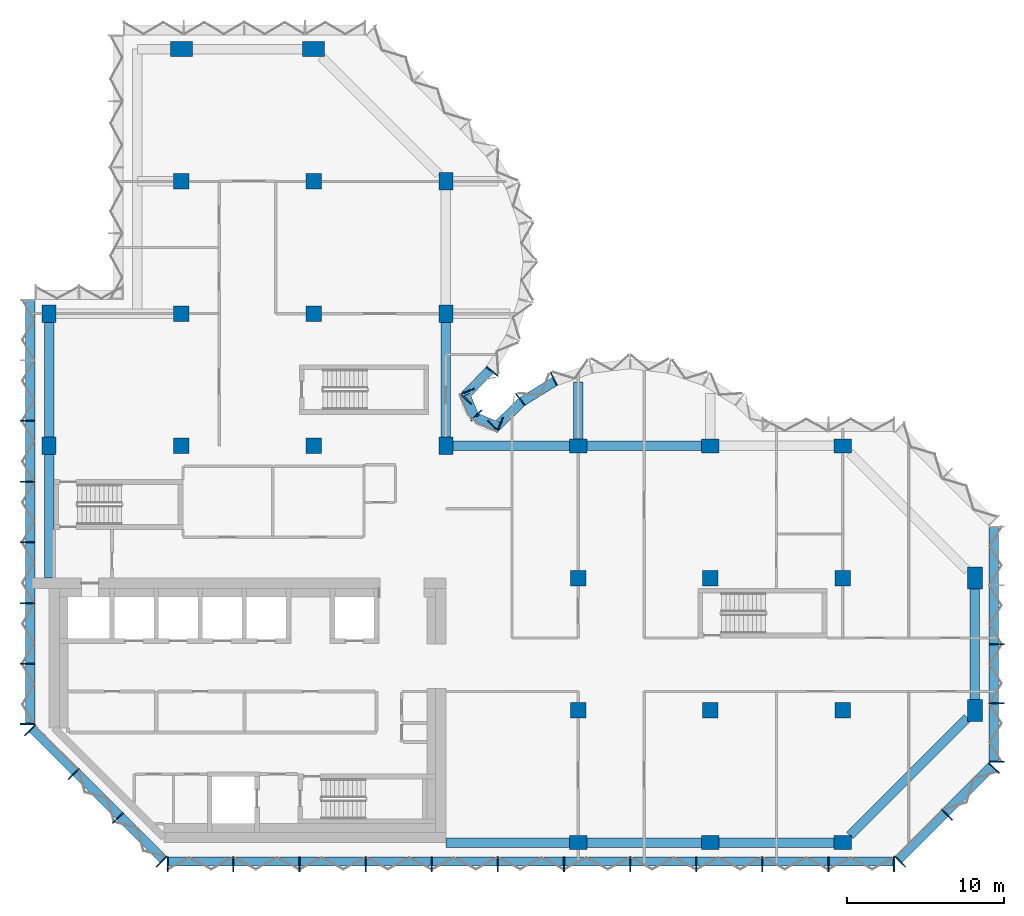
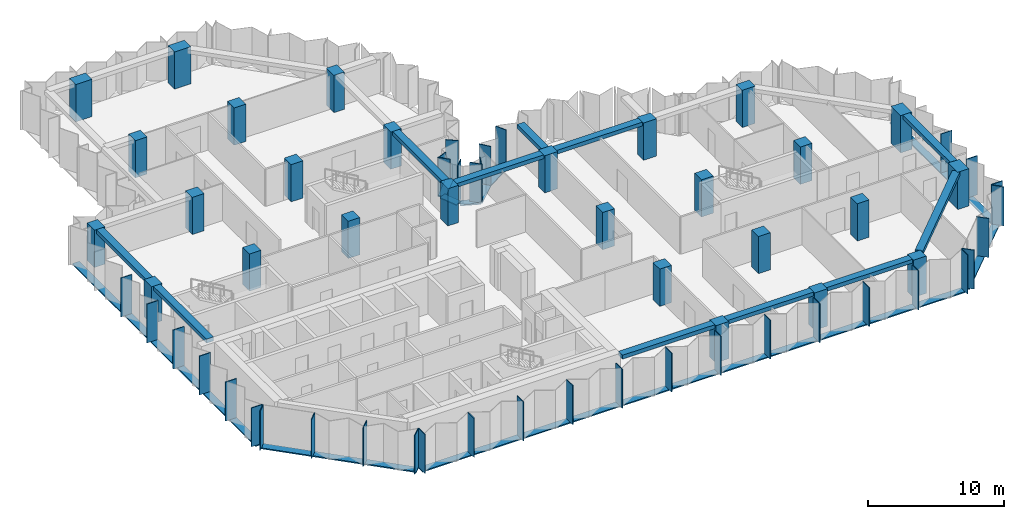
# One storey, part 1 of 10: 46 members, 27 columns, 11 beams, 8 elements without a shape of their own.
"""IFC4 building model written with IfcOpenShell, lengths in metres."""

from ifc_helpers import new_model, si_unit, direction, frame, origin, origin_2d, place, context, subcontext, project, spatial, rectangle, extrude, material, material_profile, profile_set, type_object, element, aggregate, save


model = new_model("IFC4")

# Units and contexts
model_context = context("Model", 3, precision=1e-05, world=origin(), true_north=direction((0.0, 1.0)))
body_context = subcontext(model_context, "Body", "Model", "MODEL_VIEW")
ifc_project = project(units=[si_unit("LENGTHUNIT", "METRE"), si_unit("AREAUNIT", "SQUARE_METRE"), si_unit("VOLUMEUNIT", "CUBIC_METRE"), si_unit("PLANEANGLEUNIT", "RADIAN"), si_unit("MASSUNIT", "GRAM", prefix="KILO")], contexts=[model_context])

# Site, building, storey
site_placement = place(None, origin())
site = spatial("IfcSite", under=ifc_project, at=site_placement, CompositionType="ELEMENT")
building_placement = place(site_placement, origin())
building = spatial("IfcBuilding", under=site, at=building_placement, Name="Brevane Broadcast Tower", CompositionType="ELEMENT")
storey_placement = place(building_placement, frame((0.0, 0.0, 177.60009765625)))
storey = spatial("IfcBuildingStorey", under=building, at=storey_placement, Name="L44", CompositionType="ELEMENT", Elevation=177.60009765625)

# Columns
ifc_material_1 = material(Name="Concrete C60/75", Category="concrete")
ifc_material_profile_1 = material_profile(ifc_material_1, rectangle(XDim=0.89990234375, YDim=1.10009765625, at=origin_2d()), Name="RC 900x1100")
ifc_profile_set_1 = profile_set([ifc_material_profile_1], Name="Concrete C60/75")
column_type_1 = type_object("IfcColumnType", Name="RC COLUMN EDGE 900x1100 C60/75", PredefinedType="COLUMN", material=ifc_profile_set_1)
for number, where, z_axis, x_axis, name in (
    (1, (0.0, 25.199951171875, 0.0), (0.0, 0.0, 1.0), (1.0, 0.0, 0.0), "CE11 1/D"),
    (2, (0.0, 33.60009765625, 0.0), (0.0, 0.0, 1.0), (1.0, 0.0, 0.0), "CE11 1/E"),
    (3, (25.199951171875, 25.199951171875, 0.0), (0.0, 0.0, 1.0), (1.0, 0.0, 0.0), "CE11 4/D"),
    (4, (25.199951171875, 33.60009765625, 0.0), (0.0, 0.0, 1.0), (1.0, 0.0, 0.0), "CE11 4/E"),
    (5, (25.199951171875, 42.0, 0.0), (0.0, 0.0, 1.0), (1.0, 0.0, 0.0), "CE11 4/F"),
    (6, (33.60009765625, 0.0, 0.0), (0.0, 0.0, 1.0), (0.0, 1.0, 0.0), "CE11 5/A"),
    (7, (33.60009765625, 25.199951171875, 0.0), (0.0, 0.0, 1.0), (0.0, 1.0, 0.0), "CE11 5/D"),
    (8, (42.0, 0.0, 0.0), (0.0, 0.0, 1.0), (0.0, 1.0, 0.0), "CE11 6/A"),
    (9, (42.0, 25.199951171875, 0.0), (0.0, 0.0, 1.0), (0.0, 1.0, 0.0), "CE11 6/D"),
    (10, (50.39990234375, 0.0, 0.0), (0.0, 0.0, 1.0), (0.0, 1.0, 0.0), "CE11 7/A"),
    (11, (50.39990234375, 25.199951171875, 0.0), (0.0, 0.0, 1.0), (0.0, 1.0, 0.0), "CE11 7/D"),
):
    element("IfcColumn", number, at=place(storey_placement, frame(where, z_axis=z_axis, x_axis=x_axis)), inside=storey, type_object=column_type_1, Name=name, PredefinedType="COLUMN", context=body_context, shape_type="SweptSolid", body=[
        extrude(rectangle(XDim=0.89990234375, YDim=1.10009765625, at=origin_2d()), origin(), (0.0, 0.0, 1.0), 3.349853515625),
    ])
ifc_material_profile_2 = material_profile(ifc_material_1, rectangle(XDim=1.0, YDim=1.0, at=origin_2d()), Name="RC 1000x1000")
ifc_profile_set_2 = profile_set([ifc_material_profile_2], Name="Concrete C60/75")
column_type_2 = type_object("IfcColumnType", Name="RC COLUMN INTERIOR 1000x1000 C60/75", PredefinedType="COLUMN", material=ifc_profile_set_2)
for number, where, z_axis, x_axis, name in (
    (12, (8.39990234375, 25.199951171875, 0.0), (0.0, 0.0, 1.0), (1.0, 0.0, 0.0), "CI12 2/D"),
    (13, (8.39990234375, 33.60009765625, 0.0), (0.0, 0.0, 1.0), (1.0, 0.0, 0.0), "CI12 2/E"),
    (14, (8.39990234375, 42.0, 0.0), (0.0, 0.0, 1.0), (1.0, 0.0, 0.0), "CI12 2/F"),
    (15, (16.800048828125, 25.199951171875, 0.0), (0.0, 0.0, 1.0), (1.0, 0.0, 0.0), "CI12 3/D"),
    (16, (16.800048828125, 33.60009765625, 0.0), (0.0, 0.0, 1.0), (1.0, 0.0, 0.0), "CI12 3/E"),
    (17, (16.800048828125, 42.0, 0.0), (0.0, 0.0, 1.0), (1.0, 0.0, 0.0), "CI12 3/F"),
    (18, (33.60009765625, 8.39990234375, 0.0), (0.0, 0.0, 1.0), (1.0, 0.0, 0.0), "CI12 5/B"),
    (19, (33.60009765625, 16.800048828125, 0.0), (0.0, 0.0, 1.0), (1.0, 0.0, 0.0), "CI12 5/C"),
    (20, (42.0, 8.39990234375, 0.0), (0.0, 0.0, 1.0), (1.0, 0.0, 0.0), "CI12 6/B"),
    (21, (42.0, 16.800048828125, 0.0), (0.0, 0.0, 1.0), (1.0, 0.0, 0.0), "CI12 6/C"),
    (22, (50.39990234375, 8.39990234375, 0.0), (0.0, 0.0, 1.0), (1.0, 0.0, 0.0), "CI12 7/B"),
    (23, (50.39990234375, 16.800048828125, 0.0), (0.0, 0.0, 1.0), (1.0, 0.0, 0.0), "CI12 7/C"),
):
    element("IfcColumn", number, at=place(storey_placement, frame(where, z_axis=z_axis, x_axis=x_axis)), inside=storey, type_object=column_type_2, Name=name, PredefinedType="COLUMN", context=body_context, shape_type="SweptSolid", body=[
        extrude(rectangle(XDim=1.0, YDim=1.0, at=origin_2d()), origin(), (0.0, 0.0, 1.0), 3.349853515625),
    ])
ifc_material_profile_3 = material_profile(ifc_material_1, rectangle(XDim=0.949951171875, YDim=1.39990234375, at=origin_2d()), Name="RC 950x1400")
ifc_profile_set_3 = profile_set([ifc_material_profile_3], Name="Concrete C60/75")
column_type_3 = type_object("IfcColumnType", Name="RC COLUMN WING-END 950x1400 C60/75", PredefinedType="COLUMN", material=ifc_profile_set_3)
for number, where, z_axis, x_axis, name in (
    (24, (8.39990234375, 50.39990234375, 0.0), (0.0, 0.0, 1.0), (0.0, 1.0, 0.0), "CW13 2/G"),
    (25, (16.800048828125, 50.39990234375, 0.0), (0.0, 0.0, 1.0), (0.0, 1.0, 0.0), "CW13 3/G"),
    (26, (58.800048828125, 8.39990234375, 0.0), (0.0, 0.0, 1.0), (1.0, 0.0, 0.0), "CW13 8/B"),
    (27, (58.800048828125, 16.800048828125, 0.0), (0.0, 0.0, 1.0), (1.0, 0.0, 0.0), "CW13 8/C"),
):
    element("IfcColumn", number, at=place(storey_placement, frame(where, z_axis=z_axis, x_axis=x_axis)), inside=storey, type_object=column_type_3, Name=name, PredefinedType="COLUMN", context=body_context, shape_type="SweptSolid", body=[
        extrude(rectangle(XDim=0.949951171875, YDim=1.39990234375, at=origin_2d()), origin(), (0.0, 0.0, 1.0), 3.349853515625),
    ])

# Curtain wall, members
ifc_material_2 = material(Name="Aluminium 6063-T6 bronze anodised", Category="aluminium")
curtain_wall_type = type_object("IfcCurtainWallType", Name="CW-1 curtain wall", PredefinedType="NOTDEFINED", material=ifc_material_2)
curtain_wall_1_placement = place(storey_placement, origin())
curtain_wall_1 = element("IfcCurtainWall", 28, at=curtain_wall_1_placement, inside=storey, type_object=curtain_wall_type, Name="CW-1 typical tilted unit L44 south face", PredefinedType="NOTDEFINED")
ifc_material_profile_4 = material_profile(ifc_material_2, rectangle(XDim=0.949951171875, YDim=0.070068359375, at=origin_2d()), Name="RECT 70x950")
ifc_profile_set_4 = profile_set([ifc_material_profile_4], Name="Aluminium 6063-T6 bronze anodised")
member_type_1 = type_object("IfcMemberType", Name="CW-1 mullion 70x950", PredefinedType="MULLION", material=ifc_profile_set_4)
member_1_placement = place(storey_placement, frame((7.534912109375, -1.375, -0.150146484375), z_axis=(0.0, 0.0, 1.0), x_axis=(0.0, 1.0, 0.0)))
member_1 = element("IfcMember", 29, at=member_1_placement, type_object=member_type_1, Name="CW-1 mullion", PredefinedType="MULLION", context=body_context, shape_type="SweptSolid", body=[
    extrude(rectangle(XDim=0.949951171875, YDim=0.070068359375, at=origin_2d()), origin(), (0.0, 0.0, 1.0), 3.5),
])
member_2_placement = place(storey_placement, frame((11.699951171875, -1.375, -0.150146484375), z_axis=(0.0, 0.0, 1.0), x_axis=(0.0, 1.0, 0.0)))
member_2 = element("IfcMember", 30, at=member_2_placement, type_object=member_type_1, Name="CW-1 mullion", PredefinedType="MULLION", context=body_context, shape_type="SweptSolid", body=[
    extrude(rectangle(XDim=0.949951171875, YDim=0.070068359375, at=origin_2d()), origin(), (0.0, 0.0, 1.0), 3.5),
])
member_3_placement = place(storey_placement, frame((15.89990234375, -1.375, -0.150146484375), z_axis=(0.0, 0.0, 1.0), x_axis=(0.0, 1.0, 0.0)))
member_3 = element("IfcMember", 31, at=member_3_placement, type_object=member_type_1, Name="CW-1 mullion", PredefinedType="MULLION", context=body_context, shape_type="SweptSolid", body=[
    extrude(rectangle(XDim=0.949951171875, YDim=0.070068359375, at=origin_2d()), origin(), (0.0, 0.0, 1.0), 3.5),
])
member_4_placement = place(storey_placement, frame((20.10009765625, -1.375, -0.150146484375), z_axis=(0.0, 0.0, 1.0), x_axis=(0.0, 1.0, 0.0)))
member_4 = element("IfcMember", 32, at=member_4_placement, type_object=member_type_1, Name="CW-1 mullion", PredefinedType="MULLION", context=body_context, shape_type="SweptSolid", body=[
    extrude(rectangle(XDim=0.949951171875, YDim=0.070068359375, at=origin_2d()), origin(), (0.0, 0.0, 1.0), 3.5),
])
member_5_placement = place(storey_placement, frame((24.300048828125, -1.375, -0.150146484375), z_axis=(0.0, 0.0, 1.0), x_axis=(0.0, 1.0, 0.0)))
member_5 = element("IfcMember", 33, at=member_5_placement, type_object=member_type_1, Name="CW-1 mullion", PredefinedType="MULLION", context=body_context, shape_type="SweptSolid", body=[
    extrude(rectangle(XDim=0.949951171875, YDim=0.070068359375, at=origin_2d()), origin(), (0.0, 0.0, 1.0), 3.5),
])
member_6_placement = place(storey_placement, frame((28.5, -1.375, -0.150146484375), z_axis=(0.0, 0.0, 1.0), x_axis=(0.0, 1.0, 0.0)))
member_6 = element("IfcMember", 34, at=member_6_placement, type_object=member_type_1, Name="CW-1 mullion", PredefinedType="MULLION", context=body_context, shape_type="SweptSolid", body=[
    extrude(rectangle(XDim=0.949951171875, YDim=0.070068359375, at=origin_2d()), origin(), (0.0, 0.0, 1.0), 3.5),
])
member_7_placement = place(storey_placement, frame((32.699951171875, -1.375, -0.150146484375), z_axis=(0.0, 0.0, 1.0), x_axis=(0.0, 1.0, 0.0)))
member_7 = element("IfcMember", 35, at=member_7_placement, type_object=member_type_1, Name="CW-1 mullion", PredefinedType="MULLION", context=body_context, shape_type="SweptSolid", body=[
    extrude(rectangle(XDim=0.949951171875, YDim=0.070068359375, at=origin_2d()), origin(), (0.0, 0.0, 1.0), 3.5),
])
member_8_placement = place(storey_placement, frame((36.89990234375, -1.375, -0.150146484375), z_axis=(0.0, 0.0, 1.0), x_axis=(0.0, 1.0, 0.0)))
member_8 = element("IfcMember", 36, at=member_8_placement, type_object=member_type_1, Name="CW-1 mullion", PredefinedType="MULLION", context=body_context, shape_type="SweptSolid", body=[
    extrude(rectangle(XDim=0.949951171875, YDim=0.070068359375, at=origin_2d()), origin(), (0.0, 0.0, 1.0), 3.5),
])
member_9_placement = place(storey_placement, frame((41.10009765625, -1.375, -0.150146484375), z_axis=(0.0, 0.0, 1.0), x_axis=(0.0, 1.0, 0.0)))
member_9 = element("IfcMember", 37, at=member_9_placement, type_object=member_type_1, Name="CW-1 mullion", PredefinedType="MULLION", context=body_context, shape_type="SweptSolid", body=[
    extrude(rectangle(XDim=0.949951171875, YDim=0.070068359375, at=origin_2d()), origin(), (0.0, 0.0, 1.0), 3.5),
])
member_10_placement = place(storey_placement, frame((45.300048828125, -1.375, -0.150146484375), z_axis=(0.0, 0.0, 1.0), x_axis=(0.0, 1.0, 0.0)))
member_10 = element("IfcMember", 38, at=member_10_placement, type_object=member_type_1, Name="CW-1 mullion", PredefinedType="MULLION", context=body_context, shape_type="SweptSolid", body=[
    extrude(rectangle(XDim=0.949951171875, YDim=0.070068359375, at=origin_2d()), origin(), (0.0, 0.0, 1.0), 3.5),
])
member_11_placement = place(storey_placement, frame((49.5, -1.375, -0.150146484375), z_axis=(0.0, 0.0, 1.0), x_axis=(0.0, 1.0, 0.0)))
member_11 = element("IfcMember", 39, at=member_11_placement, type_object=member_type_1, Name="CW-1 mullion", PredefinedType="MULLION", context=body_context, shape_type="SweptSolid", body=[
    extrude(rectangle(XDim=0.949951171875, YDim=0.070068359375, at=origin_2d()), origin(), (0.0, 0.0, 1.0), 3.5),
])
member_12_placement = place(storey_placement, frame((53.6650390625, -1.375, -0.150146484375), z_axis=(0.0, 0.0, 1.0), x_axis=(0.0, 1.0, 0.0)))
member_12 = element("IfcMember", 40, at=member_12_placement, type_object=member_type_1, Name="CW-1 mullion", PredefinedType="MULLION", context=body_context, shape_type="SweptSolid", body=[
    extrude(rectangle(XDim=0.949951171875, YDim=0.070068359375, at=origin_2d()), origin(), (0.0, 0.0, 1.0), 3.5),
])

curtain_wall_2_placement = place(storey_placement, origin())
curtain_wall_2 = element("IfcCurtainWall", 41, at=curtain_wall_2_placement, inside=storey, type_object=curtain_wall_type, Name="CW-1 typical tilted unit L44 south-east chamfer", PredefinedType="NOTDEFINED")
member_13_placement = place(storey_placement, frame((54.060546875, -1.211181640625, -0.150146484375), z_axis=(0.0, 0.0, 1.0), x_axis=(-0.707106781187, 0.707106781187, 0.0)))
member_13 = element("IfcMember", 42, at=member_13_placement, type_object=member_type_1, Name="CW-1 mullion", PredefinedType="MULLION", context=body_context, shape_type="SweptSolid", body=[
    extrude(rectangle(XDim=0.949951171875, YDim=0.070068359375, at=origin_2d()), origin(), (0.0, 0.0, 1.0), 3.5),
])
member_14_placement = place(storey_placement, frame((57.035888671875, 1.76416015625, -0.150146484375), z_axis=(0.0, 0.0, 1.0), x_axis=(-0.707106781187, 0.707106781187, 0.0)))
member_14 = element("IfcMember", 43, at=member_14_placement, type_object=member_type_1, Name="CW-1 mullion", PredefinedType="MULLION", context=body_context, shape_type="SweptSolid", body=[
    extrude(rectangle(XDim=0.949951171875, YDim=0.070068359375, at=origin_2d()), origin(), (0.0, 0.0, 1.0), 3.5),
])
member_15_placement = place(storey_placement, frame((60.01123046875, 4.7392578125, -0.150146484375), z_axis=(0.0, 0.0, 1.0), x_axis=(-0.707106781187, 0.707106781187, 0.0)))
member_15 = element("IfcMember", 44, at=member_15_placement, type_object=member_type_1, Name="CW-1 mullion", PredefinedType="MULLION", context=body_context, shape_type="SweptSolid", body=[
    extrude(rectangle(XDim=0.949951171875, YDim=0.070068359375, at=origin_2d()), origin(), (0.0, 0.0, 1.0), 3.5),
])

curtain_wall_3_placement = place(storey_placement, origin())
curtain_wall_3 = element("IfcCurtainWall", 45, at=curtain_wall_3_placement, inside=storey, type_object=curtain_wall_type, Name="CW-1 typical tilted unit L44 east end", PredefinedType="NOTDEFINED")
member_16_placement = place(storey_placement, frame((60.175048828125, 5.135009765625, -0.150146484375), z_axis=(0.0, 0.0, 1.0), x_axis=(-1.0, 0.0, 0.0)))
member_16 = element("IfcMember", 46, at=member_16_placement, type_object=member_type_1, Name="CW-1 mullion", PredefinedType="MULLION", context=body_context, shape_type="SweptSolid", body=[
    extrude(rectangle(XDim=0.949951171875, YDim=0.070068359375, at=origin_2d()), origin(), (0.0, 0.0, 1.0), 3.5),
])
member_17_placement = place(storey_placement, frame((60.175048828125, 8.85009765625, -0.150146484375), z_axis=(0.0, 0.0, 1.0), x_axis=(-1.0, 0.0, 0.0)))
member_17 = element("IfcMember", 47, at=member_17_placement, type_object=member_type_1, Name="CW-1 mullion", PredefinedType="MULLION", context=body_context, shape_type="SweptSolid", body=[
    extrude(rectangle(XDim=0.949951171875, YDim=0.070068359375, at=origin_2d()), origin(), (0.0, 0.0, 1.0), 3.5),
])
member_18_placement = place(storey_placement, frame((60.175048828125, 12.60009765625, -0.150146484375), z_axis=(0.0, 0.0, 1.0), x_axis=(-1.0, 0.0, 0.0)))
member_18 = element("IfcMember", 48, at=member_18_placement, type_object=member_type_1, Name="CW-1 mullion", PredefinedType="MULLION", context=body_context, shape_type="SweptSolid", body=[
    extrude(rectangle(XDim=0.949951171875, YDim=0.070068359375, at=origin_2d()), origin(), (0.0, 0.0, 1.0), 3.5),
])

curtain_wall_4_placement = place(storey_placement, origin())
curtain_wall_4 = element("IfcCurtainWall", 49, at=curtain_wall_4_placement, inside=storey, type_object=curtain_wall_type, Name="CW-1 typical tilted unit L44 east bow", PredefinedType="NOTDEFINED")
member_19_placement = place(storey_placement, frame((32.05322265625, 29.4580078125, -0.150146484375), z_axis=(0.0, 0.0, 1.0), x_axis=(0.429933580394, -0.902860518823, 0.0)))
member_19 = element("IfcMember", 50, at=member_19_placement, type_object=member_type_1, Name="CW-1 mullion", PredefinedType="MULLION", context=body_context, shape_type="SweptSolid", body=[
    extrude(rectangle(XDim=0.949951171875, YDim=0.070068359375, at=origin_2d()), origin(), (0.0, 0.0, 1.0), 3.5),
])
member_20_placement = place(storey_placement, frame((29.927978515625, 28.1455078125, -0.150146484375), z_axis=(0.0, 0.0, 1.0), x_axis=(0.614769698862, -0.788706673841, 0.0)))
member_20 = element("IfcMember", 51, at=member_20_placement, type_object=member_type_1, Name="CW-1 mullion", PredefinedType="MULLION", context=body_context, shape_type="SweptSolid", body=[
    extrude(rectangle(XDim=0.949951171875, YDim=0.070068359375, at=origin_2d()), origin(), (0.0, 0.0, 1.0), 3.5),
])
member_21_placement = place(storey_placement, frame((28.194091796875, 26.465087890625, -0.150146484375), z_axis=(0.0, 0.0, 1.0), x_axis=(0.696812089895, -0.717253728729, 0.0)))
member_21 = element("IfcMember", 52, at=member_21_placement, type_object=member_type_1, Name="CW-1 mullion", PredefinedType="MULLION", context=body_context, shape_type="SweptSolid", body=[
    extrude(rectangle(XDim=0.949951171875, YDim=0.070068359375, at=origin_2d()), origin(), (0.0, 0.0, 1.0), 3.5),
])

curtain_wall_5_placement = place(storey_placement, origin())
curtain_wall_5 = element("IfcCurtainWall", 53, at=curtain_wall_5_placement, inside=storey, type_object=curtain_wall_type, Name="CW-1 typical tilted unit L44 inner corner", PredefinedType="NOTDEFINED")
member_22_placement = place(storey_placement, frame((28.6494140625, 26.55224609375, -0.150146484375), z_axis=(0.0, 0.0, 1.0), x_axis=(-0.382683432365, -0.923879532511, 0.0)))
member_22 = element("IfcMember", 54, at=member_22_placement, type_object=member_type_1, Name="CW-1 mullion", PredefinedType="MULLION", context=body_context, shape_type="SweptSolid", body=[
    extrude(rectangle(XDim=0.949951171875, YDim=0.070068359375, at=origin_2d()), origin(), (0.0, 0.0, 1.0), 3.5),
])
member_23_placement = place(storey_placement, frame((27.138916015625, 27.138916015625, -0.150146484375), z_axis=(0.0, 0.0, 1.0), x_axis=(-0.707106781187, -0.707106781187, 0.0)))
member_23 = element("IfcMember", 55, at=member_23_placement, type_object=member_type_1, Name="CW-1 mullion", PredefinedType="MULLION", context=body_context, shape_type="SweptSolid", body=[
    extrude(rectangle(XDim=0.949951171875, YDim=0.070068359375, at=origin_2d()), origin(), (0.0, 0.0, 1.0), 3.5),
])
member_24_placement = place(storey_placement, frame((26.55224609375, 28.6494140625, -0.150146484375), z_axis=(0.0, 0.0, 1.0), x_axis=(-0.923879532511, -0.382683432365, 0.0)))
member_24 = element("IfcMember", 56, at=member_24_placement, type_object=member_type_1, Name="CW-1 mullion", PredefinedType="MULLION", context=body_context, shape_type="SweptSolid", body=[
    extrude(rectangle(XDim=0.949951171875, YDim=0.070068359375, at=origin_2d()), origin(), (0.0, 0.0, 1.0), 3.5),
])

curtain_wall_6_placement = place(storey_placement, origin())
curtain_wall_6 = element("IfcCurtainWall", 57, at=curtain_wall_6_placement, inside=storey, type_object=curtain_wall_type, Name="CW-1 typical tilted unit L44 north bow", PredefinedType="NOTDEFINED")
member_25_placement = place(storey_placement, frame((26.465087890625, 28.194091796875, -0.150146484375), z_axis=(0.0, 0.0, 1.0), x_axis=(-0.717253728729, 0.696812089895, 0.0)))
member_25 = element("IfcMember", 58, at=member_25_placement, type_object=member_type_1, Name="CW-1 mullion", PredefinedType="MULLION", context=body_context, shape_type="SweptSolid", body=[
    extrude(rectangle(XDim=0.949951171875, YDim=0.070068359375, at=origin_2d()), origin(), (0.0, 0.0, 1.0), 3.5),
])
member_26_placement = place(storey_placement, frame((28.1455078125, 29.927978515625, -0.150146484375), z_axis=(0.0, 0.0, 1.0), x_axis=(-0.788706673841, 0.614769698862, 0.0)))
member_26 = element("IfcMember", 59, at=member_26_placement, type_object=member_type_1, Name="CW-1 mullion", PredefinedType="MULLION", context=body_context, shape_type="SweptSolid", body=[
    extrude(rectangle(XDim=0.949951171875, YDim=0.070068359375, at=origin_2d()), origin(), (0.0, 0.0, 1.0), 3.5),
])

curtain_wall_7_placement = place(storey_placement, origin())
curtain_wall_7 = element("IfcCurtainWall", 60, at=curtain_wall_7_placement, inside=storey, type_object=curtain_wall_type, Name="CW-1 typical tilted unit L44 west face", PredefinedType="NOTDEFINED")
member_27_placement = place(storey_placement, frame((-1.375, 26.78564453125, -0.150146484375), z_axis=(0.0, 0.0, 1.0), x_axis=(1.0, 0.0, 0.0)))
member_27 = element("IfcMember", 61, at=member_27_placement, type_object=member_type_1, Name="CW-1 mullion", PredefinedType="MULLION", context=body_context, shape_type="SweptSolid", body=[
    extrude(rectangle(XDim=0.949951171875, YDim=0.070068359375, at=origin_2d()), origin(), (0.0, 0.0, 1.0), 3.5),
])
member_28_placement = place(storey_placement, frame((-1.375, 22.928466796875, -0.150146484375), z_axis=(0.0, 0.0, 1.0), x_axis=(1.0, 0.0, 0.0)))
member_28 = element("IfcMember", 62, at=member_28_placement, type_object=member_type_1, Name="CW-1 mullion", PredefinedType="MULLION", context=body_context, shape_type="SweptSolid", body=[
    extrude(rectangle(XDim=0.949951171875, YDim=0.070068359375, at=origin_2d()), origin(), (0.0, 0.0, 1.0), 3.5),
])
member_29_placement = place(storey_placement, frame((-1.375, 19.071533203125, -0.150146484375), z_axis=(0.0, 0.0, 1.0), x_axis=(1.0, 0.0, 0.0)))
member_29 = element("IfcMember", 63, at=member_29_placement, type_object=member_type_1, Name="CW-1 mullion", PredefinedType="MULLION", context=body_context, shape_type="SweptSolid", body=[
    extrude(rectangle(XDim=0.949951171875, YDim=0.070068359375, at=origin_2d()), origin(), (0.0, 0.0, 1.0), 3.5),
])
member_30_placement = place(storey_placement, frame((-1.375, 15.21435546875, -0.150146484375), z_axis=(0.0, 0.0, 1.0), x_axis=(1.0, 0.0, 0.0)))
member_30 = element("IfcMember", 64, at=member_30_placement, type_object=member_type_1, Name="CW-1 mullion", PredefinedType="MULLION", context=body_context, shape_type="SweptSolid", body=[
    extrude(rectangle(XDim=0.949951171875, YDim=0.070068359375, at=origin_2d()), origin(), (0.0, 0.0, 1.0), 3.5),
])
member_31_placement = place(storey_placement, frame((-1.375, 11.357177734375, -0.150146484375), z_axis=(0.0, 0.0, 1.0), x_axis=(1.0, 0.0, 0.0)))
member_31 = element("IfcMember", 65, at=member_31_placement, type_object=member_type_1, Name="CW-1 mullion", PredefinedType="MULLION", context=body_context, shape_type="SweptSolid", body=[
    extrude(rectangle(XDim=0.949951171875, YDim=0.070068359375, at=origin_2d()), origin(), (0.0, 0.0, 1.0), 3.5),
])
member_32_placement = place(storey_placement, frame((-1.375, 7.534912109375, -0.150146484375), z_axis=(0.0, 0.0, 1.0), x_axis=(1.0, 0.0, 0.0)))
member_32 = element("IfcMember", 66, at=member_32_placement, type_object=member_type_1, Name="CW-1 mullion", PredefinedType="MULLION", context=body_context, shape_type="SweptSolid", body=[
    extrude(rectangle(XDim=0.949951171875, YDim=0.070068359375, at=origin_2d()), origin(), (0.0, 0.0, 1.0), 3.5),
])

curtain_wall_8_placement = place(storey_placement, origin())
curtain_wall_8 = element("IfcCurtainWall", 67, at=curtain_wall_8_placement, inside=storey, type_object=curtain_wall_type, Name="CW-1 typical tilted unit L44 south-west chamfer", PredefinedType="NOTDEFINED")
member_33_placement = place(storey_placement, frame((-1.211181640625, 7.139404296875, -0.150146484375), z_axis=(0.0, 0.0, 1.0), x_axis=(0.707106781187, 0.707106781187, 0.0)))
member_33 = element("IfcMember", 68, at=member_33_placement, type_object=member_type_1, Name="CW-1 mullion", PredefinedType="MULLION", context=body_context, shape_type="SweptSolid", body=[
    extrude(rectangle(XDim=0.949951171875, YDim=0.070068359375, at=origin_2d()), origin(), (0.0, 0.0, 1.0), 3.5),
])
member_34_placement = place(storey_placement, frame((1.564208984375, 4.364013671875, -0.150146484375), z_axis=(0.0, 0.0, 1.0), x_axis=(0.707106781187, 0.707106781187, 0.0)))
member_34 = element("IfcMember", 69, at=member_34_placement, type_object=member_type_1, Name="CW-1 mullion", PredefinedType="MULLION", context=body_context, shape_type="SweptSolid", body=[
    extrude(rectangle(XDim=0.949951171875, YDim=0.070068359375, at=origin_2d()), origin(), (0.0, 0.0, 1.0), 3.5),
])
member_35_placement = place(storey_placement, frame((4.364013671875, 1.564208984375, -0.150146484375), z_axis=(0.0, 0.0, 1.0), x_axis=(0.707106781187, 0.707106781187, 0.0)))
member_35 = element("IfcMember", 70, at=member_35_placement, type_object=member_type_1, Name="CW-1 mullion", PredefinedType="MULLION", context=body_context, shape_type="SweptSolid", body=[
    extrude(rectangle(XDim=0.949951171875, YDim=0.070068359375, at=origin_2d()), origin(), (0.0, 0.0, 1.0), 3.5),
])
member_36_placement = place(storey_placement, frame((7.139404296875, -1.211181640625, -0.150146484375), z_axis=(0.0, 0.0, 1.0), x_axis=(0.707106781187, 0.707106781187, 0.0)))
member_36 = element("IfcMember", 71, at=member_36_placement, type_object=member_type_1, Name="CW-1 mullion", PredefinedType="MULLION", context=body_context, shape_type="SweptSolid", body=[
    extrude(rectangle(XDim=0.949951171875, YDim=0.070068359375, at=origin_2d()), origin(), (0.0, 0.0, 1.0), 3.5),
])

# Member
ifc_material_profile_5 = material_profile(ifc_material_2, rectangle(XDim=0.60009765625, YDim=0.10009765625, at=origin_2d()), Name="RECT 100x600")
ifc_profile_set_5 = profile_set([ifc_material_profile_5], Name="Aluminium 6063-T6 bronze anodised")
member_type_2 = type_object("IfcMemberType", Name="CW-1 transom 100x600", PredefinedType="USERDEFINED", material=ifc_profile_set_5)
member_37_placement = place(storey_placement, frame((7.5, -1.199951171875, -0.2001953125), z_axis=(1.0, 0.0, 0.0), x_axis=(0.0, 1.0, 0.0)))
member_37 = element("IfcMember", 72, at=member_37_placement, type_object=member_type_2, Name="CW-1 transom", ObjectType="TRANSOM", PredefinedType="USERDEFINED", context=body_context, shape_type="SweptSolid", body=[
    extrude(rectangle(XDim=0.60009765625, YDim=0.10009765625, at=origin_2d()), origin(), (0.0, 0.0, 1.0), 46.199951171875),
])

aggregate(curtain_wall_1, [member_1, member_2, member_3, member_4, member_5, member_6, member_7, member_8, member_9, member_10, member_11, member_12, member_37])

member_38_placement = place(storey_placement, frame((53.912109375, -1.112060546875, -0.2001953125), z_axis=(0.707106781187, 0.707106781187, 0.0), x_axis=(-0.707106781187, 0.707106781187, 0.0)))
member_38 = element("IfcMember", 73, at=member_38_placement, type_object=member_type_2, Name="CW-1 transom", ObjectType="TRANSOM", PredefinedType="USERDEFINED", context=body_context, shape_type="SweptSolid", body=[
    extrude(rectangle(XDim=0.60009765625, YDim=0.10009765625, at=origin_2d()), origin(), (0.0, 0.0, 1.0), 8.4853515625),
])

aggregate(curtain_wall_2, [member_13, member_14, member_15, member_38])

member_39_placement = place(storey_placement, frame((60.0, 5.10009765625, -0.2001953125), z_axis=(0.0, 1.0, 0.0), x_axis=(-1.0, 0.0, 0.0)))
member_39 = element("IfcMember", 74, at=member_39_placement, type_object=member_type_2, Name="CW-1 transom", ObjectType="TRANSOM", PredefinedType="USERDEFINED", context=body_context, shape_type="SweptSolid", body=[
    extrude(rectangle(XDim=0.60009765625, YDim=0.10009765625, at=origin_2d()), origin(), (0.0, 0.0, 1.0), 15.0),
])

aggregate(curtain_wall_3, [member_16, member_17, member_18, member_39])

member_40_placement = place(storey_placement, frame((32.09521484375, 29.281494140625, -0.2001953125), z_axis=(-0.850838211365, -0.525427766759, 0.0), x_axis=(0.525427766759, -0.850838211365, 0.0)))
member_40 = element("IfcMember", 75, at=member_40_placement, type_object=member_type_2, Name="CW-1 transom", ObjectType="TRANSOM", PredefinedType="USERDEFINED", context=body_context, shape_type="SweptSolid", body=[
    extrude(rectangle(XDim=0.60009765625, YDim=0.10009765625, at=origin_2d()), origin(), (0.0, 0.0, 1.0), 2.394775390625),
])

member_41_placement = place(storey_placement, frame((29.99951171875, 27.974365234375, -0.2001953125), z_axis=(-0.71724215871, -0.696823999134, 0.0), x_axis=(0.696823999134, -0.71724215871, 0.0)))
member_41 = element("IfcMember", 76, at=member_41_placement, type_object=member_type_2, Name="CW-1 transom", ObjectType="TRANSOM", PredefinedType="USERDEFINED", context=body_context, shape_type="SweptSolid", body=[
    extrude(rectangle(XDim=0.60009765625, YDim=0.10009765625, at=origin_2d()), origin(), (0.0, 0.0, 1.0), 2.247802734375),
])

aggregate(curtain_wall_4, [member_19, member_20, member_21, member_40, member_41])

member_42_placement = place(storey_placement, frame((28.528076171875, 26.40673828125, -0.2001953125), z_axis=(-0.923883243627, 0.382674472816, 0.0), x_axis=(-0.382674472816, -0.923883243627, 0.0)))
member_42 = element("IfcMember", 77, at=member_42_placement, type_object=member_type_2, Name="CW-1 transom", ObjectType="TRANSOM", PredefinedType="USERDEFINED", context=body_context, shape_type="SweptSolid", body=[
    extrude(rectangle(XDim=0.60009765625, YDim=0.10009765625, at=origin_2d()), origin(), (0.0, 0.0, 1.0), 1.536865234375),
])

member_43_placement = place(storey_placement, frame((27.039794921875, 27.0, -0.2001953125), z_axis=(-0.382674472816, 0.923883243627, 0.0), x_axis=(-0.923883243627, -0.382674472816, 0.0)))
member_43 = element("IfcMember", 78, at=member_43_placement, type_object=member_type_2, Name="CW-1 transom", ObjectType="TRANSOM", PredefinedType="USERDEFINED", context=body_context, shape_type="SweptSolid", body=[
    extrude(rectangle(XDim=0.60009765625, YDim=0.10009765625, at=origin_2d()), origin(), (0.0, 0.0, 1.0), 1.536865234375),
])

aggregate(curtain_wall_5, [member_22, member_23, member_24, member_42, member_43])

member_44_placement = place(storey_placement, frame((26.407958984375, 28.38720703125, -0.2001953125), z_axis=(0.696823999134, 0.71724215871, 0.0), x_axis=(-0.71724215871, 0.696823999134, 0.0)))
member_44 = element("IfcMember", 79, at=member_44_placement, type_object=member_type_2, Name="CW-1 transom", ObjectType="TRANSOM", PredefinedType="USERDEFINED", context=body_context, shape_type="SweptSolid", body=[
    extrude(rectangle(XDim=0.60009765625, YDim=0.10009765625, at=origin_2d()), origin(), (0.0, 0.0, 1.0), 2.247802734375),
])

aggregate(curtain_wall_6, [member_25, member_26, member_44])

member_45_placement = place(storey_placement, frame((-1.199951171875, 34.5, -0.2001953125), z_axis=(0.0, -1.0, 0.0), x_axis=(1.0, 0.0, 0.0)))
member_45 = element("IfcMember", 80, at=member_45_placement, type_object=member_type_2, Name="CW-1 transom", ObjectType="TRANSOM", PredefinedType="USERDEFINED", context=body_context, shape_type="SweptSolid", body=[
    extrude(rectangle(XDim=0.60009765625, YDim=0.10009765625, at=origin_2d()), origin(), (0.0, 0.0, 1.0), 27.0),
])

aggregate(curtain_wall_7, [member_27, member_28, member_29, member_30, member_31, member_32, member_45])

member_46_placement = place(storey_placement, frame((-1.112060546875, 7.287841796875, -0.2001953125), z_axis=(0.707106781187, -0.707106781187, 0.0), x_axis=(0.707106781187, 0.707106781187, 0.0)))
member_46 = element("IfcMember", 81, at=member_46_placement, type_object=member_type_2, Name="CW-1 transom", ObjectType="TRANSOM", PredefinedType="USERDEFINED", context=body_context, shape_type="SweptSolid", body=[
    extrude(rectangle(XDim=0.60009765625, YDim=0.10009765625, at=origin_2d()), origin(), (0.0, 0.0, 1.0), 11.879150390625),
])

aggregate(curtain_wall_8, [member_33, member_34, member_35, member_36, member_46])

# Beams
ifc_material_3 = material(Name="Concrete C40/50", Category="concrete")
ifc_material_profile_6 = material_profile(ifc_material_3, rectangle(XDim=0.60009765625, YDim=0.35009765625, at=origin_2d()), Name="RC 600x350")
ifc_profile_set_6 = profile_set([ifc_material_profile_6], Name="Concrete C40/50")
beam_type_1 = type_object("IfcBeamType", Name="RC BRACKET BEAM 600x350 C40/50", PredefinedType="BEAM", material=ifc_profile_set_6)
beam_1_placement = place(storey_placement, frame((33.60009765625, 25.64990234375, 3.1748046875), z_axis=(0.0, 1.0, 0.0), x_axis=(-1.0, 0.0, 0.0)))
element("IfcBeam", 82, at=beam_1_placement, inside=storey, type_object=beam_type_1, Name="EB2 L44-3", PredefinedType="BEAM", context=body_context, shape_type="SweptSolid", body=[
    extrude(rectangle(XDim=0.60009765625, YDim=0.35009765625, at=origin_2d()), origin(), (0.0, 0.0, 1.0), 3.612060546875),
])
ifc_material_profile_7 = material_profile(ifc_material_3, rectangle(XDim=0.60009765625, YDim=0.35009765625, at=origin_2d()), Name="RC 600x350")
ifc_profile_set_7 = profile_set([ifc_material_profile_7], Name="Concrete C40/50")
beam_type_2 = type_object("IfcBeamType", Name="RC SPANDREL BEAM 600x350 C40/50", PredefinedType="SPANDREL", material=ifc_profile_set_7)
beam_2_placement = place(storey_placement, frame((25.199951171875, 0.0, 3.1748046875), z_axis=(1.0, 0.0, 0.0), x_axis=(0.0, 1.0, 0.0)))
element("IfcBeam", 83, at=beam_2_placement, inside=storey, type_object=beam_type_2, Name="EB1 L44-1", PredefinedType="SPANDREL", context=body_context, shape_type="SweptSolid", body=[
    extrude(rectangle(XDim=0.60009765625, YDim=0.35009765625, at=origin_2d()), origin(), (0.0, 0.0, 1.0), 7.85009765625),
])
for number, where, z_axis, x_axis, name in (
    (84, (34.14990234375, 0.0, 3.1748046875), (1.0, 0.0, 0.0), (0.0, 1.0, 0.0), "EB1 L44-2"),
    (85, (42.550048828125, 0.0, 3.1748046875), (1.0, 0.0, 0.0), (0.0, 1.0, 0.0), "EB1 L44-3"),
):
    element("IfcBeam", number, at=place(storey_placement, frame(where, z_axis=z_axis, x_axis=x_axis)), inside=storey, type_object=beam_type_2, Name=name, PredefinedType="SPANDREL", context=body_context, shape_type="SweptSolid", body=[
        extrude(rectangle(XDim=0.60009765625, YDim=0.35009765625, at=origin_2d()), origin(), (0.0, 0.0, 1.0), 7.300048828125),
    ])
beam_3_placement = place(storey_placement, frame((50.85009765625, 0.449951171875, 3.1748046875), z_axis=(0.707095233664, 0.707118328521, 0.0), x_axis=(-0.707118328521, 0.707095233664, 0.0)))
element("IfcBeam", 86, at=beam_3_placement, inside=storey, type_object=beam_type_2, Name="EB1 L44-4", PredefinedType="SPANDREL", context=body_context, shape_type="SweptSolid", body=[
    extrude(rectangle(XDim=0.60009765625, YDim=0.35009765625, at=origin_2d()), origin(), (0.0, 0.0, 1.0), 10.5712890625),
])
beam_4_placement = place(storey_placement, frame((58.800048828125, 9.10009765625, 3.1748046875), z_axis=(0.0, 1.0, 0.0), x_axis=(-1.0, 0.0, 0.0)))
element("IfcBeam", 87, at=beam_4_placement, inside=storey, type_object=beam_type_2, Name="EB1 L44-5", PredefinedType="SPANDREL", context=body_context, shape_type="SweptSolid", body=[
    extrude(rectangle(XDim=0.60009765625, YDim=0.35009765625, at=origin_2d()), origin(), (0.0, 0.0, 1.0), 7.0),
])
beam_5_placement = place(storey_placement, frame((41.449951171875, 25.199951171875, 3.1748046875), z_axis=(-1.0, 0.0, 0.0), x_axis=(0.0, -1.0, 0.0)))
element("IfcBeam", 88, at=beam_5_placement, inside=storey, type_object=beam_type_2, Name="EB1 L44-8", PredefinedType="SPANDREL", context=body_context, shape_type="SweptSolid", body=[
    extrude(rectangle(XDim=0.60009765625, YDim=0.35009765625, at=origin_2d()), origin(), (0.0, 0.0, 1.0), 7.300048828125),
])
beam_6_placement = place(storey_placement, frame((33.050048828125, 25.199951171875, 3.1748046875), z_axis=(-1.0, 0.0, 0.0), x_axis=(0.0, -1.0, 0.0)))
element("IfcBeam", 89, at=beam_6_placement, inside=storey, type_object=beam_type_2, Name="EB1 L44-9", PredefinedType="SPANDREL", context=body_context, shape_type="SweptSolid", body=[
    extrude(rectangle(XDim=0.60009765625, YDim=0.35009765625, at=origin_2d()), origin(), (0.0, 0.0, 1.0), 7.400146484375),
])
for number, where, z_axis, x_axis, name in (
    (90, (25.199951171875, 25.75, 3.1748046875), (0.0, 1.0, 0.0), (-1.0, 0.0, 0.0), "EB1 L44-10"),
    (91, (0.0, 33.050048828125, 3.1748046875), (0.0, -1.0, 0.0), (1.0, 0.0, 0.0), "EB1 L44-14"),
):
    element("IfcBeam", number, at=place(storey_placement, frame(where, z_axis=z_axis, x_axis=x_axis)), inside=storey, type_object=beam_type_2, Name=name, PredefinedType="SPANDREL", context=body_context, shape_type="SweptSolid", body=[
        extrude(rectangle(XDim=0.60009765625, YDim=0.35009765625, at=origin_2d()), origin(), (0.0, 0.0, 1.0), 7.300048828125),
    ])
beam_7_placement = place(storey_placement, frame((0.0, 24.64990234375, 3.1748046875), z_axis=(0.0, -1.0, 0.0), x_axis=(1.0, 0.0, 0.0)))
element("IfcBeam", 92, at=beam_7_placement, inside=storey, type_object=beam_type_2, Name="EB1 L44-15", PredefinedType="SPANDREL", context=body_context, shape_type="SweptSolid", body=[
    extrude(rectangle(XDim=0.60009765625, YDim=0.35009765625, at=origin_2d()), origin(), (0.0, 0.0, 1.0), 7.849853515625),
])

save(model, "model.ifc")
